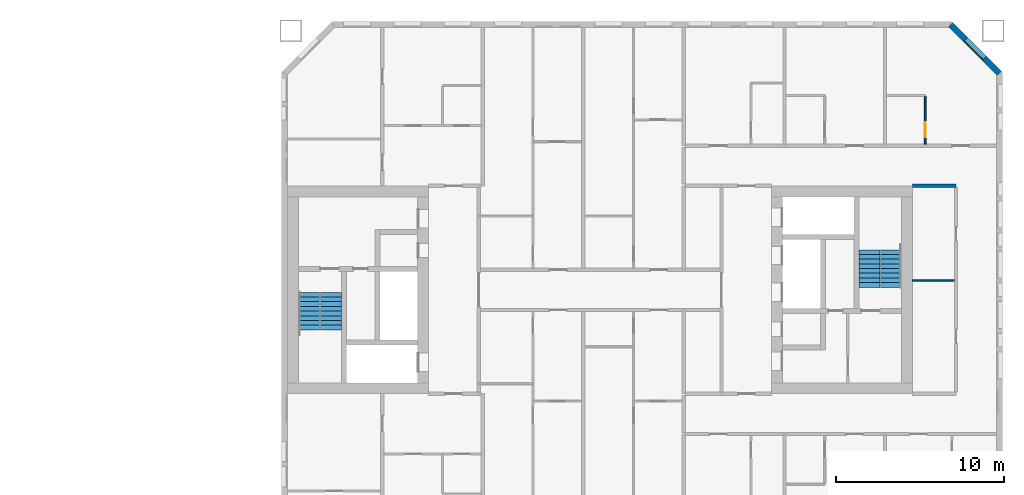
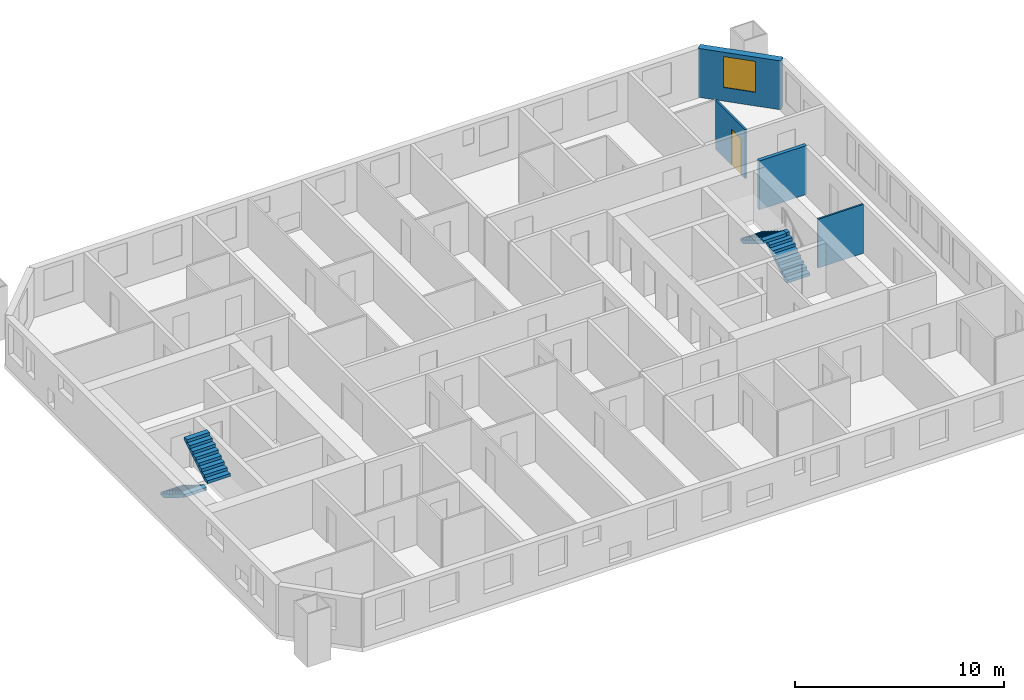
# One storey, part 15 of 17: 4 stair flights, 4 walls, 1 door, 1 window, 2 openings, 2 elements without a shape of their own.
"""IFC4 building model written with IfcOpenShell, lengths in metres."""

from ifc_helpers import new_model, si_unit, direction, frame, frame_2d, origin, place, context, subcontext, project, spatial, polyline, rectangle, outline, extrude, material, layer, layer_set, type_object, element, fill, aggregate, save


model = new_model("IFC4")

# Units and contexts
model_context = context("Model", 3, precision=1e-05, world=origin(), true_north=direction((0.0, 1.0)))
body_context = subcontext(model_context, "Body", "Model", "MODEL_VIEW")
ifc_project = project(units=[si_unit("LENGTHUNIT", "METRE"), si_unit("AREAUNIT", "SQUARE_METRE"), si_unit("VOLUMEUNIT", "CUBIC_METRE"), si_unit("PLANEANGLEUNIT", "RADIAN"), si_unit("MASSUNIT", "GRAM", prefix="KILO")], contexts=[model_context])

# Site, building, storey
site_placement = place(None, origin())
site = spatial("IfcSite", under=ifc_project, at=site_placement, CompositionType="ELEMENT")
building_placement = place(site_placement, origin())
building = spatial("IfcBuilding", under=site, at=building_placement, Name="Tuart Gate Housing", CompositionType="ELEMENT")
storey_placement = place(building_placement, frame((0.0, 0.0, 108.800048828125)))
storey = spatial("IfcBuildingStorey", under=building, at=storey_placement, Name="L30", CompositionType="ELEMENT", Elevation=108.800048828125)

# Wall, opening, window
ifc_material_1 = material(Name="Brick", Category="masonry")
ifc_layer_1 = layer(ifc_material_1, 0.360107421875)
ifc_layer_set_1 = layer_set([ifc_layer_1], Name="Brick pier and spandrel wall 360")
wall_type_1 = type_object("IfcWallType", Name="Brick pier and spandrel wall 360", PredefinedType="STANDARD", material=ifc_layer_set_1)
wall_1_placement = place(storey_placement, frame((173.820068359375, 82.92529296875, 0.0), z_axis=(0.0, 0.0, 1.0), x_axis=(-0.707106781187, 0.707106781187, 0.0)))
wall_1 = element("IfcWall", 1, at=wall_1_placement, inside=storey, type_object=wall_type_1, Name="External wall B-NE L30", PredefinedType="STANDARD", context=body_context, shape_type="SweptSolid", body=[
    extrude(rectangle(XDim=4.09375, YDim=0.360107421875, at=frame_2d((2.046875, 0.0))), origin(), (0.0, 0.0, 1.0), 2.849853515625),
])
opening_1_placement = place(wall_1_placement, frame((1.2470703125, 0.0, 0.800048828125)))
opening_1 = element("IfcOpeningElement", 2, at=opening_1_placement, cuts=wall_1, Name="Opening W1", PredefinedType="OPENING", context=body_context, shape_type="SweptSolid", body=[
    extrude(rectangle(XDim=1.60009765625, YDim=1.800048828125, at=frame_2d((0.800048828125, 0.89990234375))), frame((0.0, 0.18994140625, 0.0), z_axis=(0.0, -1.0, 0.0), x_axis=(1.0, 0.0, 0.0)), (0.0, 0.0, 1.0), 0.380126953125),
])
ifc_material_2 = material(Name="Aluminium frame with clear glass", Category="aluminium")
window_type = type_object("IfcWindowType", Name="Punched window 1600 x 1800", PartitioningType="SINGLE_PANEL", PredefinedType="WINDOW", material=ifc_material_2)
window_placement = place(opening_1_placement, origin())
window = element("IfcWindow", 3, at=window_placement, inside=storey, type_object=window_type, Name="Window W1", OverallHeight=1.800048828125, OverallWidth=1.60009765625, PartitioningType="SINGLE_PANEL", PredefinedType="WINDOW", context=body_context, shape_type="SweptSolid", body=[
    extrude(rectangle(XDim=1.60009765625, YDim=1.800048828125, at=frame_2d((0.800048828125, 0.89990234375))), frame((0.0, 0.150146484375, 0.0), z_axis=(0.0, -1.0, 0.0), x_axis=(1.0, 0.0, 0.0)), (0.0, 0.0, 1.0), 0.06005859375),
])
fill(opening_1, window)

# Walls
ifc_material_3 = material(Name="Concrete masonry 15 MPa", Category="masonry")
ifc_layer_2 = layer(ifc_material_3, 0.199951171875)
ifc_layer_set_2 = layer_set([ifc_layer_2], Name="Corridor wall masonry 200")
wall_type_2 = type_object("IfcWallType", Name="Corridor wall masonry 200", PredefinedType="PARTITIONING", material=ifc_layer_set_2)
wall_2_placement = place(storey_placement, frame((168.639892578125, 76.199951171875, 0.0), z_axis=(0.0, 0.0, 1.0), x_axis=(1.0, 0.0, 0.0)))
element("IfcWall", 4, at=wall_2_placement, inside=storey, type_object=wall_type_2, Name="Corridor wall masonry 200", PredefinedType="PARTITIONING", context=body_context, shape_type="SweptSolid", body=[
    extrude(rectangle(XDim=2.60009765625, YDim=0.199951171875, at=frame_2d((1.300048828125, 0.0))), origin(), (0.0, 0.0, 1.0), 2.849853515625),
])
ifc_material_4 = material(Name="Gypsum board on steel studs", Category="steel")
ifc_layer_3 = layer(ifc_material_4, 0.10009765625)
ifc_layer_set_3 = layer_set([ifc_layer_3], Name="Partition 100")
wall_type_3 = type_object("IfcWallType", Name="Partition 100", PredefinedType="PARTITIONING", material=ifc_layer_set_3)
wall_3_placement = place(storey_placement, frame((168.639892578125, 70.550048828125, 0.0), z_axis=(0.0, 0.0, 1.0), x_axis=(1.0, 0.0, 0.0)))
element("IfcWall", 5, at=wall_3_placement, inside=storey, type_object=wall_type_3, Name="Partition 100", PredefinedType="PARTITIONING", context=body_context, shape_type="SweptSolid", body=[
    extrude(rectangle(XDim=2.5, YDim=0.10009765625, at=frame_2d((1.25, 0.0))), origin(), (0.0, 0.0, 1.0), 2.849853515625),
])

# Wall, opening, door
wall_4_placement = place(storey_placement, frame((169.39990234375, 78.699951171875, 0.0), z_axis=(0.0, 0.0, 1.0), x_axis=(0.0, 1.0, 0.0)))
wall_4 = element("IfcWall", 6, at=wall_4_placement, inside=storey, type_object=wall_type_3, Name="Partition 100", PredefinedType="PARTITIONING", context=body_context, shape_type="SweptSolid", body=[
    extrude(rectangle(XDim=2.85009765625, YDim=0.10009765625, at=frame_2d((1.425048828125, 0.0))), origin(), (0.0, 0.0, 1.0), 2.849853515625),
])
opening_2_placement = place(wall_4_placement, frame((0.39990234375, 0.0, 0.0)))
opening_2 = element("IfcOpeningElement", 7, at=opening_2_placement, cuts=wall_4, Name="Opening D1242", PredefinedType="OPENING", context=body_context, shape_type="SweptSolid", body=[
    extrude(rectangle(XDim=0.89990234375, YDim=2.10009765625, at=frame_2d((0.449951171875, 1.050048828125))), frame((0.0, 0.06005859375, 0.0), z_axis=(0.0, -1.0, 0.0), x_axis=(1.0, 0.0, 0.0)), (0.0, 0.0, 1.0), 0.1201171875),
])
ifc_material_5 = material(Name="Timber door leaf in steel frame", Category="steel")
door_type = type_object("IfcDoorType", Name="Bathroom door 900", OperationType="SINGLE_SWING_LEFT", PredefinedType="DOOR", material=ifc_material_5)
door_placement = place(opening_2_placement, origin())
door = element("IfcDoor", 8, at=door_placement, inside=storey, type_object=door_type, Name="Bathroom door", OperationType="SINGLE_SWING_LEFT", OverallHeight=2.10009765625, OverallWidth=0.89990234375, PredefinedType="DOOR", context=body_context, shape_type="SweptSolid", body=[
    extrude(rectangle(XDim=0.89990234375, YDim=2.10009765625, at=frame_2d((0.449951171875, 1.050048828125))), frame((0.0, 0.02490234375, 0.0), z_axis=(0.0, -1.0, 0.0), x_axis=(1.0, 0.0, 0.0)), (0.0, 0.0, 1.0), 0.050048828125),
])
fill(opening_2, door)

# Stair, stair flights
ifc_material_6 = material(Name="Concrete C40", Category="concrete")
stair_type = type_object("IfcStairType", Name="Core stair 1250", PredefinedType="HALF_TURN_STAIR", material=ifc_material_6)
stair_1_placement = place(storey_placement, origin())
stair_1 = element("IfcStair", 9, at=stair_1_placement, inside=storey, type_object=stair_type, Name="Stair SB1", PredefinedType="HALF_TURN_STAIR")
ifc_material_7 = material(Name="Concrete C40", Category="concrete")
stair_flight_type = type_object("IfcStairFlightType", Name="Stair flight 1250, 9 risers 172 x 280", PredefinedType="STRAIGHT", material=ifc_material_7)
stair_flight_1_placement = place(storey_placement, frame((132.635009765625, 69.85009765625, 0.0), z_axis=(0.0, 0.0, 1.0), x_axis=(0.0, -1.0, 0.0)))
stair_flight_1 = element("IfcStairFlight", 10, at=stair_flight_1_placement, type_object=stair_flight_type, Name="SB1 flight 1", NumberOfRisers=9, NumberOfTreads=8, PredefinedType="STRAIGHT", RiserHeight=0.172222222, TreadLength=0.28, context=body_context, shape_type="SweptSolid", body=[
    extrude(outline(polyline([(0.0, 0.0), (0.0, 0.172119140625), (0.280029296875, 0.172119140625), (0.280029296875, 0.344482421875), (0.56005859375, 0.344482421875), (0.56005859375, 0.5166015625), (0.840087890625, 0.5166015625), (0.840087890625, 0.68896484375), (1.1201171875, 0.68896484375), (1.1201171875, 0.861083984375), (1.39990234375, 0.861083984375), (1.39990234375, 1.033447265625), (1.679931640625, 1.033447265625), (1.679931640625, 1.20556640625), (1.9599609375, 1.20556640625), (1.9599609375, 1.377685546875), (2.239990234375, 1.377685546875), (2.239990234375, 1.550048828125), (2.239990234375, 1.201904296875), (0.2861328125, 0.0), (0.0, 0.0)])), frame((0.0, 0.625, 0.0), z_axis=(0.0, -1.0, 0.0), x_axis=(1.0, 0.0, 0.0)), (0.0, 0.0, 1.0), 1.25),
])
stair_flight_2_placement = place(storey_placement, frame((133.93505859375, 67.610107421875, 1.550048828125), z_axis=(0.0, 0.0, 1.0), x_axis=(0.0, 1.0, 0.0)))
stair_flight_2 = element("IfcStairFlight", 11, at=stair_flight_2_placement, type_object=stair_flight_type, Name="SB1 flight 2", NumberOfRisers=9, NumberOfTreads=8, PredefinedType="STRAIGHT", RiserHeight=0.172222222, TreadLength=0.28, context=body_context, shape_type="SweptSolid", body=[
    extrude(outline(polyline([(0.0, 0.0), (0.0, 0.172119140625), (0.280029296875, 0.172119140625), (0.280029296875, 0.344482421875), (0.56005859375, 0.344482421875), (0.56005859375, 0.5166015625), (0.840087890625, 0.5166015625), (0.840087890625, 0.68896484375), (1.1201171875, 0.68896484375), (1.1201171875, 0.861083984375), (1.39990234375, 0.861083984375), (1.39990234375, 1.033447265625), (1.679931640625, 1.033447265625), (1.679931640625, 1.20556640625), (1.9599609375, 1.20556640625), (1.9599609375, 1.377685546875), (2.239990234375, 1.377685546875), (2.239990234375, 1.550048828125), (2.239990234375, 1.201904296875), (0.2861328125, 0.0), (0.0, 0.0)])), frame((0.0, 0.625, 0.0), z_axis=(0.0, -1.0, 0.0), x_axis=(1.0, 0.0, 0.0)), (0.0, 0.0, 1.0), 1.25),
])
aggregate(stair_1, [stair_flight_1, stair_flight_2])

stair_2_placement = place(storey_placement, origin())
stair_2 = element("IfcStair", 12, at=stair_2_placement, inside=storey, type_object=stair_type, Name="Stair SB2", PredefinedType="HALF_TURN_STAIR")
stair_flight_3_placement = place(storey_placement, frame((167.364990234375, 70.14990234375, 0.0), z_axis=(0.0, 0.0, 1.0), x_axis=(0.0, 1.0, 0.0)))
stair_flight_3 = element("IfcStairFlight", 13, at=stair_flight_3_placement, type_object=stair_flight_type, Name="SB2 flight 1", NumberOfRisers=9, NumberOfTreads=8, PredefinedType="STRAIGHT", RiserHeight=0.172222222, TreadLength=0.28, context=body_context, shape_type="SweptSolid", body=[
    extrude(outline(polyline([(0.0, 0.0), (0.0, 0.172119140625), (0.280029296875, 0.172119140625), (0.280029296875, 0.344482421875), (0.56005859375, 0.344482421875), (0.56005859375, 0.5166015625), (0.840087890625, 0.5166015625), (0.840087890625, 0.68896484375), (1.1201171875, 0.68896484375), (1.1201171875, 0.861083984375), (1.39990234375, 0.861083984375), (1.39990234375, 1.033447265625), (1.679931640625, 1.033447265625), (1.679931640625, 1.20556640625), (1.9599609375, 1.20556640625), (1.9599609375, 1.377685546875), (2.239990234375, 1.377685546875), (2.239990234375, 1.550048828125), (2.239990234375, 1.201904296875), (0.2861328125, 0.0), (0.0, 0.0)])), frame((0.0, 0.625, 0.0), z_axis=(0.0, -1.0, 0.0), x_axis=(1.0, 0.0, 0.0)), (0.0, 0.0, 1.0), 1.25),
])
stair_flight_4_placement = place(storey_placement, frame((166.06494140625, 72.389892578125, 1.550048828125), z_axis=(0.0, 0.0, 1.0), x_axis=(0.0, -1.0, 0.0)))
stair_flight_4 = element("IfcStairFlight", 14, at=stair_flight_4_placement, type_object=stair_flight_type, Name="SB2 flight 2", NumberOfRisers=9, NumberOfTreads=8, PredefinedType="STRAIGHT", RiserHeight=0.172222222, TreadLength=0.28, context=body_context, shape_type="SweptSolid", body=[
    extrude(outline(polyline([(0.0, 0.0), (0.0, 0.172119140625), (0.280029296875, 0.172119140625), (0.280029296875, 0.344482421875), (0.56005859375, 0.344482421875), (0.56005859375, 0.5166015625), (0.840087890625, 0.5166015625), (0.840087890625, 0.68896484375), (1.1201171875, 0.68896484375), (1.1201171875, 0.861083984375), (1.39990234375, 0.861083984375), (1.39990234375, 1.033447265625), (1.679931640625, 1.033447265625), (1.679931640625, 1.20556640625), (1.9599609375, 1.20556640625), (1.9599609375, 1.377685546875), (2.239990234375, 1.377685546875), (2.239990234375, 1.550048828125), (2.239990234375, 1.201904296875), (0.2861328125, 0.0), (0.0, 0.0)])), frame((0.0, 0.625, 0.0), z_axis=(0.0, -1.0, 0.0), x_axis=(1.0, 0.0, 0.0)), (0.0, 0.0, 1.0), 1.25),
])
aggregate(stair_2, [stair_flight_3, stair_flight_4])

save(model, "model.ifc")
